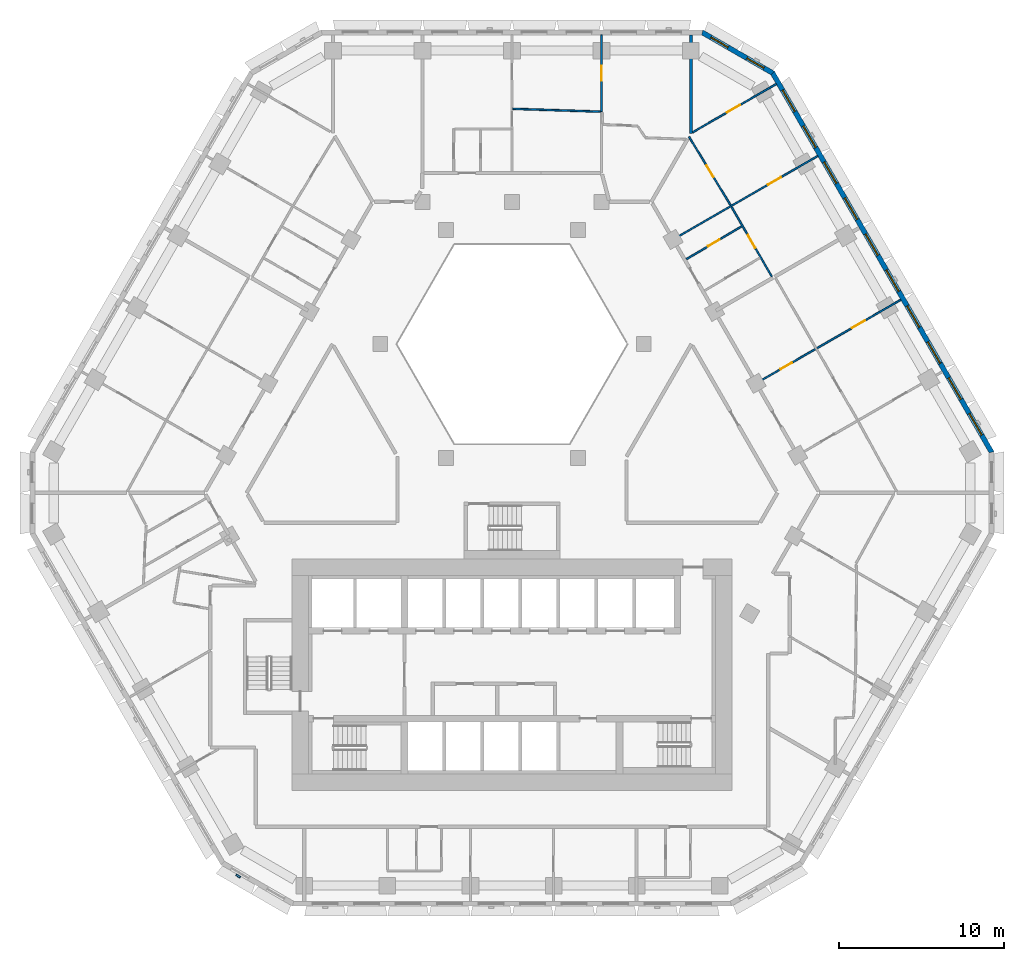
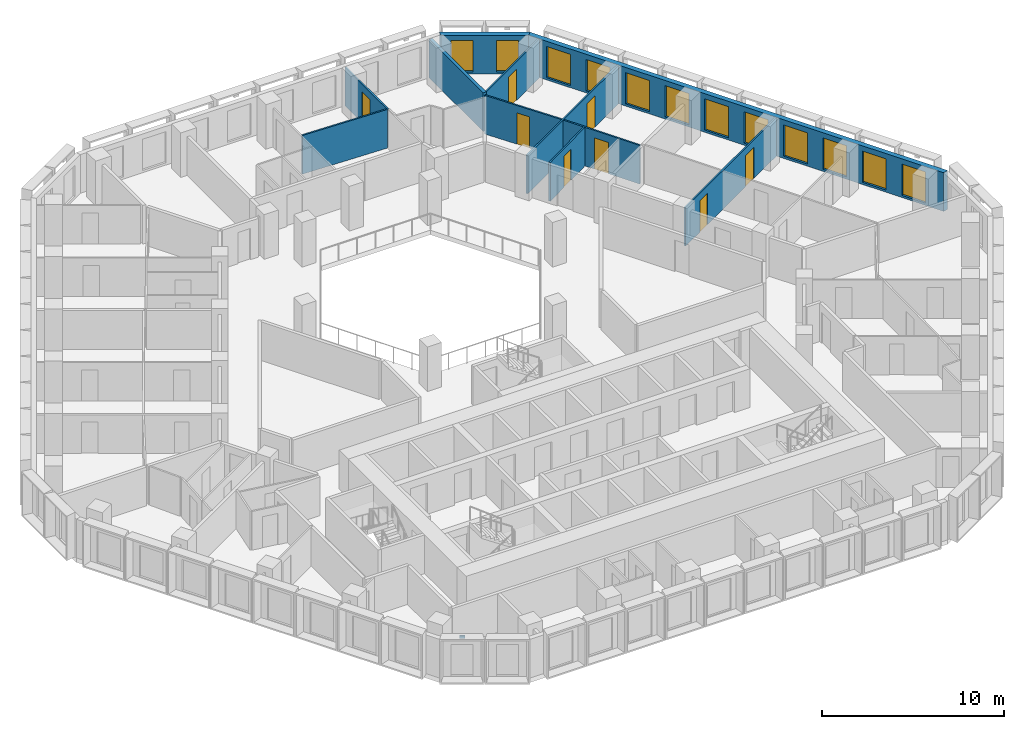
# One storey, part 10 of 18: 12 windows, 11 walls, 8 doors, 1 discrete accessory, 20 openings.
"""IFC4 building model written with IfcOpenShell, lengths in metres."""

from ifc_helpers import new_model, si_unit, direction, frame, frame_2d, origin, place, context, subcontext, project, spatial, polyline, rectangle, outline, extrude, source, transform, mapped, material, layer, layer_set, type_object, type_shapes, element, fill, save


model = new_model("IFC4")

# Units and contexts
model_context = context("Model", 3, precision=1e-05, world=origin(), true_north=direction((0.0, 1.0)))
body_context = subcontext(model_context, "Body", "Model", "MODEL_VIEW")
ifc_project = project(units=[si_unit("LENGTHUNIT", "METRE"), si_unit("AREAUNIT", "SQUARE_METRE"), si_unit("VOLUMEUNIT", "CUBIC_METRE"), si_unit("PLANEANGLEUNIT", "RADIAN"), si_unit("MASSUNIT", "GRAM", prefix="KILO")], contexts=[model_context])

# Site, building, storey
site_placement = place(None, origin())
site = spatial("IfcSite", under=ifc_project, at=site_placement, CompositionType="ELEMENT")
building_placement = place(site_placement, origin())
building = spatial("IfcBuilding", under=site, at=building_placement, Name="Beryl Residences", CompositionType="ELEMENT")
storey_placement = place(building_placement, frame((0.0, 0.0, 105.0)))
storey = spatial("IfcBuildingStorey", under=building, at=storey_placement, Name="L32", CompositionType="ELEMENT", Elevation=105.0)

# Wall, openings, windows
ifc_material_1 = material(Name="Composite metal panel with mineral wool insulation")
ifc_layer_1 = layer(ifc_material_1, 0.300048828125)
ifc_layer_set_1 = layer_set([ifc_layer_1], Name="ES1 pale metal composite panel wall 300 mm")
wall_type_1 = type_object("IfcWallType", Name="ES1 pale metal composite panel wall 300 mm", PredefinedType="SOLIDWALL", material=ifc_layer_set_1)
wall_1_placement = place(storey_placement, frame((29.027099609375, 1.425048828125, 0.0), z_axis=(0.0, 0.0, 1.0), x_axis=(-0.500027479704, 0.866009537788, 0.0)))
wall_1 = element("IfcWall", 1, at=wall_1_placement, inside=storey, type_object=wall_type_1, Name="ES1 external wall L32 NE", PredefinedType="SOLIDWALL", context=body_context, shape_type="SweptSolid", body=[
    extrude(outline(polyline([(0.0, -0.14990234375), (26.55859375, -0.14990234375), (26.478271484375, 0.14990234375), (0.080322265625, 0.14990234375), (0.0, -0.14990234375)])), origin(), (0.0, 0.0, 1.0), 2.60009765625),
])
opening_1_placement = place(wall_1_placement, frame((1.22705078125, 0.0, 0.14990234375)))
opening_1 = element("IfcOpeningElement", 2, at=opening_1_placement, cuts=wall_1, Name="Opening W1", PredefinedType="OPENING", context=body_context, shape_type="SweptSolid", body=[
    extrude(rectangle(XDim=1.5, YDim=2.10009765625, at=frame_2d((0.75, 1.050048828125))), frame((0.0, 0.159912109375, 0.0), z_axis=(0.0, -1.0, 0.0), x_axis=(1.0, 0.0, 0.0)), (0.0, 0.0, 1.0), 0.320068359375),
])
opening_2_placement = place(wall_1_placement, frame((3.738037109375, 0.0, 0.14990234375)))
opening_2 = element("IfcOpeningElement", 3, at=opening_2_placement, cuts=wall_1, Name="Opening W1", PredefinedType="OPENING", context=body_context, shape_type="SweptSolid", body=[
    extrude(rectangle(XDim=1.5, YDim=2.10009765625, at=frame_2d((0.75, 1.050048828125))), frame((0.0, 0.159912109375, 0.0), z_axis=(0.0, -1.0, 0.0), x_axis=(1.0, 0.0, 0.0)), (0.0, 0.0, 1.0), 0.320068359375),
])
opening_3_placement = place(wall_1_placement, frame((6.25, 0.0, 0.14990234375)))
opening_3 = element("IfcOpeningElement", 4, at=opening_3_placement, cuts=wall_1, Name="Opening W1", PredefinedType="OPENING", context=body_context, shape_type="SweptSolid", body=[
    extrude(rectangle(XDim=1.5, YDim=2.10009765625, at=frame_2d((0.75, 1.050048828125))), frame((0.0, 0.159912109375, 0.0), z_axis=(0.0, -1.0, 0.0), x_axis=(1.0, 0.0, 0.0)), (0.0, 0.0, 1.0), 0.320068359375),
])
opening_4_placement = place(wall_1_placement, frame((8.760986328125, 0.0, 0.14990234375)))
opening_4 = element("IfcOpeningElement", 5, at=opening_4_placement, cuts=wall_1, Name="Opening W1", PredefinedType="OPENING", context=body_context, shape_type="SweptSolid", body=[
    extrude(rectangle(XDim=1.5, YDim=2.10009765625, at=frame_2d((0.75, 1.050048828125))), frame((0.0, 0.159912109375, 0.0), z_axis=(0.0, -1.0, 0.0), x_axis=(1.0, 0.0, 0.0)), (0.0, 0.0, 1.0), 0.320068359375),
])
opening_5_placement = place(wall_1_placement, frame((11.27294921875, 0.0, 0.14990234375)))
opening_5 = element("IfcOpeningElement", 6, at=opening_5_placement, cuts=wall_1, Name="Opening W1", PredefinedType="OPENING", context=body_context, shape_type="SweptSolid", body=[
    extrude(rectangle(XDim=1.5, YDim=2.10009765625, at=frame_2d((0.75, 1.050048828125))), frame((0.0, 0.159912109375, 0.0), z_axis=(0.0, -1.0, 0.0), x_axis=(1.0, 0.0, 0.0)), (0.0, 0.0, 1.0), 0.320068359375),
])
opening_6_placement = place(wall_1_placement, frame((13.784912109375, 0.0, 0.14990234375)))
opening_6 = element("IfcOpeningElement", 7, at=opening_6_placement, cuts=wall_1, Name="Opening W1", PredefinedType="OPENING", context=body_context, shape_type="SweptSolid", body=[
    extrude(rectangle(XDim=1.5, YDim=2.10009765625, at=frame_2d((0.75, 1.050048828125))), frame((0.0, 0.159912109375, 0.0), z_axis=(0.0, -1.0, 0.0), x_axis=(1.0, 0.0, 0.0)), (0.0, 0.0, 1.0), 0.320068359375),
])
opening_7_placement = place(wall_1_placement, frame((16.2958984375, 0.0, 0.14990234375)))
opening_7 = element("IfcOpeningElement", 8, at=opening_7_placement, cuts=wall_1, Name="Opening W1", PredefinedType="OPENING", context=body_context, shape_type="SweptSolid", body=[
    extrude(rectangle(XDim=1.5, YDim=2.10009765625, at=frame_2d((0.75, 1.050048828125))), frame((0.0, 0.159912109375, 0.0), z_axis=(0.0, -1.0, 0.0), x_axis=(1.0, 0.0, 0.0)), (0.0, 0.0, 1.0), 0.320068359375),
])
opening_8_placement = place(wall_1_placement, frame((18.806884765625, 0.0, 0.14990234375)))
opening_8 = element("IfcOpeningElement", 9, at=opening_8_placement, cuts=wall_1, Name="Opening W1", PredefinedType="OPENING", context=body_context, shape_type="SweptSolid", body=[
    extrude(rectangle(XDim=1.5, YDim=2.10009765625, at=frame_2d((0.75, 1.050048828125))), frame((0.0, 0.159912109375, 0.0), z_axis=(0.0, -1.0, 0.0), x_axis=(1.0, 0.0, 0.0)), (0.0, 0.0, 1.0), 0.320068359375),
])
opening_9_placement = place(wall_1_placement, frame((21.319091796875, 0.0, 0.14990234375)))
opening_9 = element("IfcOpeningElement", 10, at=opening_9_placement, cuts=wall_1, Name="Opening W1", PredefinedType="OPENING", context=body_context, shape_type="SweptSolid", body=[
    extrude(rectangle(XDim=1.5, YDim=2.10009765625, at=frame_2d((0.75, 1.050048828125))), frame((0.0, 0.159912109375, 0.0), z_axis=(0.0, -1.0, 0.0), x_axis=(1.0, 0.0, 0.0)), (0.0, 0.0, 1.0), 0.320068359375),
])
opening_10_placement = place(wall_1_placement, frame((23.8310546875, 0.0, 0.14990234375)))
opening_10 = element("IfcOpeningElement", 11, at=opening_10_placement, cuts=wall_1, Name="Opening W1", PredefinedType="OPENING", context=body_context, shape_type="SweptSolid", body=[
    extrude(rectangle(XDim=1.5, YDim=2.10009765625, at=frame_2d((0.75, 1.050048828125))), frame((0.0, 0.159912109375, 0.0), z_axis=(0.0, -1.0, 0.0), x_axis=(1.0, 0.0, 0.0)), (0.0, 0.0, 1.0), 0.320068359375),
])
ifc_material_2 = material(Name="Aluminium and clear glass", Category="aluminium")
window_type_1 = type_object("IfcWindowType", Name="W1 cell window 1500 x 2100 mm", PartitioningType="SINGLE_PANEL", PredefinedType="WINDOW", material=ifc_material_2)
window_1_placement = place(opening_1_placement, origin())
window_1 = element("IfcWindow", 12, at=window_1_placement, inside=storey, type_object=window_type_1, Name="W1 window L32 NE 1", OverallHeight=2.10009765625, OverallWidth=1.5, PartitioningType="SINGLE_PANEL", PredefinedType="WINDOW", context=body_context, shape_type="SweptSolid", body=[
    extrude(rectangle(XDim=1.5, YDim=2.10009765625, at=frame_2d((0.75, 1.050048828125))), frame((0.0, 0.030029296875, 0.0), z_axis=(0.0, -1.0, 0.0), x_axis=(1.0, 0.0, 0.0)), (0.0, 0.0, 1.0), 0.06005859375),
])
fill(opening_1, window_1)
window_2_placement = place(opening_2_placement, origin())
window_2 = element("IfcWindow", 13, at=window_2_placement, inside=storey, type_object=window_type_1, Name="W1 window L32 NE 2", OverallHeight=2.10009765625, OverallWidth=1.5, PartitioningType="SINGLE_PANEL", PredefinedType="WINDOW", context=body_context, shape_type="SweptSolid", body=[
    extrude(rectangle(XDim=1.5, YDim=2.10009765625, at=frame_2d((0.75, 1.050048828125))), frame((0.0, 0.030029296875, 0.0), z_axis=(0.0, -1.0, 0.0), x_axis=(1.0, 0.0, 0.0)), (0.0, 0.0, 1.0), 0.06005859375),
])
fill(opening_2, window_2)
window_3_placement = place(opening_3_placement, origin())
window_3 = element("IfcWindow", 14, at=window_3_placement, inside=storey, type_object=window_type_1, Name="W1 window L32 NE 3", OverallHeight=2.10009765625, OverallWidth=1.5, PartitioningType="SINGLE_PANEL", PredefinedType="WINDOW", context=body_context, shape_type="SweptSolid", body=[
    extrude(rectangle(XDim=1.5, YDim=2.10009765625, at=frame_2d((0.75, 1.050048828125))), frame((0.0, 0.030029296875, 0.0), z_axis=(0.0, -1.0, 0.0), x_axis=(1.0, 0.0, 0.0)), (0.0, 0.0, 1.0), 0.06005859375),
])
fill(opening_3, window_3)
window_4_placement = place(opening_4_placement, origin())
window_4 = element("IfcWindow", 15, at=window_4_placement, inside=storey, type_object=window_type_1, Name="W1 window L32 NE 4", OverallHeight=2.10009765625, OverallWidth=1.5, PartitioningType="SINGLE_PANEL", PredefinedType="WINDOW", context=body_context, shape_type="SweptSolid", body=[
    extrude(rectangle(XDim=1.5, YDim=2.10009765625, at=frame_2d((0.75, 1.050048828125))), frame((0.0, 0.030029296875, 0.0), z_axis=(0.0, -1.0, 0.0), x_axis=(1.0, 0.0, 0.0)), (0.0, 0.0, 1.0), 0.06005859375),
])
fill(opening_4, window_4)
window_5_placement = place(opening_5_placement, origin())
window_5 = element("IfcWindow", 16, at=window_5_placement, inside=storey, type_object=window_type_1, Name="W1 window L32 NE 5", OverallHeight=2.10009765625, OverallWidth=1.5, PartitioningType="SINGLE_PANEL", PredefinedType="WINDOW", context=body_context, shape_type="SweptSolid", body=[
    extrude(rectangle(XDim=1.5, YDim=2.10009765625, at=frame_2d((0.75, 1.050048828125))), frame((0.0, 0.030029296875, 0.0), z_axis=(0.0, -1.0, 0.0), x_axis=(1.0, 0.0, 0.0)), (0.0, 0.0, 1.0), 0.06005859375),
])
fill(opening_5, window_5)
window_6_placement = place(opening_6_placement, origin())
window_6 = element("IfcWindow", 17, at=window_6_placement, inside=storey, type_object=window_type_1, Name="W1 window L32 NE 6", OverallHeight=2.10009765625, OverallWidth=1.5, PartitioningType="SINGLE_PANEL", PredefinedType="WINDOW", context=body_context, shape_type="SweptSolid", body=[
    extrude(rectangle(XDim=1.5, YDim=2.10009765625, at=frame_2d((0.75, 1.050048828125))), frame((0.0, 0.030029296875, 0.0), z_axis=(0.0, -1.0, 0.0), x_axis=(1.0, 0.0, 0.0)), (0.0, 0.0, 1.0), 0.06005859375),
])
fill(opening_6, window_6)
window_7_placement = place(opening_7_placement, origin())
window_7 = element("IfcWindow", 18, at=window_7_placement, inside=storey, type_object=window_type_1, Name="W1 window L32 NE 7", OverallHeight=2.10009765625, OverallWidth=1.5, PartitioningType="SINGLE_PANEL", PredefinedType="WINDOW", context=body_context, shape_type="SweptSolid", body=[
    extrude(rectangle(XDim=1.5, YDim=2.10009765625, at=frame_2d((0.75, 1.050048828125))), frame((0.0, 0.030029296875, 0.0), z_axis=(0.0, -1.0, 0.0), x_axis=(1.0, 0.0, 0.0)), (0.0, 0.0, 1.0), 0.06005859375),
])
fill(opening_7, window_7)
window_8_placement = place(opening_8_placement, origin())
window_8 = element("IfcWindow", 19, at=window_8_placement, inside=storey, type_object=window_type_1, Name="W1 window L32 NE 8", OverallHeight=2.10009765625, OverallWidth=1.5, PartitioningType="SINGLE_PANEL", PredefinedType="WINDOW", context=body_context, shape_type="SweptSolid", body=[
    extrude(rectangle(XDim=1.5, YDim=2.10009765625, at=frame_2d((0.75, 1.050048828125))), frame((0.0, 0.030029296875, 0.0), z_axis=(0.0, -1.0, 0.0), x_axis=(1.0, 0.0, 0.0)), (0.0, 0.0, 1.0), 0.06005859375),
])
fill(opening_8, window_8)
window_9_placement = place(opening_9_placement, origin())
window_9 = element("IfcWindow", 20, at=window_9_placement, inside=storey, type_object=window_type_1, Name="W1 window L32 NE 9", OverallHeight=2.10009765625, OverallWidth=1.5, PartitioningType="SINGLE_PANEL", PredefinedType="WINDOW", context=body_context, shape_type="SweptSolid", body=[
    extrude(rectangle(XDim=1.5, YDim=2.10009765625, at=frame_2d((0.75, 1.050048828125))), frame((0.0, 0.030029296875, 0.0), z_axis=(0.0, -1.0, 0.0), x_axis=(1.0, 0.0, 0.0)), (0.0, 0.0, 1.0), 0.06005859375),
])
fill(opening_9, window_9)
window_10_placement = place(opening_10_placement, origin())
window_10 = element("IfcWindow", 21, at=window_10_placement, inside=storey, type_object=window_type_1, Name="W1 window L32 NE 10", OverallHeight=2.10009765625, OverallWidth=1.5, PartitioningType="SINGLE_PANEL", PredefinedType="WINDOW", context=body_context, shape_type="SweptSolid", body=[
    extrude(rectangle(XDim=1.5, YDim=2.10009765625, at=frame_2d((0.75, 1.050048828125))), frame((0.0, 0.030029296875, 0.0), z_axis=(0.0, -1.0, 0.0), x_axis=(1.0, 0.0, 0.0)), (0.0, 0.0, 1.0), 0.06005859375),
])
fill(opening_10, window_10)

wall_2_placement = place(storey_placement, frame((15.802001953125, 24.3701171875, 0.0), z_axis=(0.0, 0.0, 1.0), x_axis=(-0.866022959057, 0.500004234368, 0.0)))
wall_2 = element("IfcWall", 22, at=wall_2_placement, inside=storey, type_object=wall_type_1, Name="ES1 external wall L32 NE-N", PredefinedType="SOLIDWALL", context=body_context, shape_type="SweptSolid", body=[
    extrude(outline(polyline([(0.0, -0.14990234375), (5.0, -0.14990234375), (4.919677734375, 0.14990234375), (0.080322265625, 0.14990234375), (0.0, -0.14990234375)])), origin(), (0.0, 0.0, 1.0), 2.60009765625),
])
opening_11_placement = place(wall_2_placement, frame((0.64990234375, 0.0, 0.14990234375)))
opening_11 = element("IfcOpeningElement", 23, at=opening_11_placement, cuts=wall_2, Name="Opening W2", PredefinedType="OPENING", context=body_context, shape_type="SweptSolid", body=[
    extrude(rectangle(XDim=1.199951171875, YDim=2.10009765625, at=frame_2d((0.60009765625, 1.050048828125))), frame((0.0, 0.159912109375, 0.0), z_axis=(0.0, -1.0, 0.0), x_axis=(1.0, 0.0, 0.0)), (0.0, 0.0, 1.0), 0.320068359375),
])
opening_12_placement = place(wall_2_placement, frame((3.14990234375, 0.0, 0.14990234375)))
opening_12 = element("IfcOpeningElement", 24, at=opening_12_placement, cuts=wall_2, Name="Opening W2", PredefinedType="OPENING", context=body_context, shape_type="SweptSolid", body=[
    extrude(rectangle(XDim=1.199951171875, YDim=2.10009765625, at=frame_2d((0.60009765625, 1.050048828125))), frame((0.0, 0.159912109375, 0.0), z_axis=(0.0, -1.0, 0.0), x_axis=(1.0, 0.0, 0.0)), (0.0, 0.0, 1.0), 0.320068359375),
])
ifc_material_3 = material(Name="Aluminium and clear glass", Category="aluminium")
window_type_2 = type_object("IfcWindowType", Name="W2 chamfer window 1200 x 2100 mm", PartitioningType="SINGLE_PANEL", PredefinedType="WINDOW", material=ifc_material_3)
window_11_placement = place(opening_11_placement, origin())
window_11 = element("IfcWindow", 25, at=window_11_placement, inside=storey, type_object=window_type_2, Name="W2 window L32 NE-N 1", OverallHeight=2.10009765625, OverallWidth=1.199951171875, PartitioningType="SINGLE_PANEL", PredefinedType="WINDOW", context=body_context, shape_type="SweptSolid", body=[
    extrude(rectangle(XDim=1.199951171875, YDim=2.10009765625, at=frame_2d((0.60009765625, 1.050048828125))), frame((0.0, 0.030029296875, 0.0), z_axis=(0.0, -1.0, 0.0), x_axis=(1.0, 0.0, 0.0)), (0.0, 0.0, 1.0), 0.06005859375),
])
fill(opening_11, window_11)
window_12_placement = place(opening_12_placement, origin())
window_12 = element("IfcWindow", 26, at=window_12_placement, inside=storey, type_object=window_type_2, Name="W2 window L32 NE-N 2", OverallHeight=2.10009765625, OverallWidth=1.199951171875, PartitioningType="SINGLE_PANEL", PredefinedType="WINDOW", context=body_context, shape_type="SweptSolid", body=[
    extrude(rectangle(XDim=1.199951171875, YDim=2.10009765625, at=frame_2d((0.60009765625, 1.050048828125))), frame((0.0, 0.030029296875, 0.0), z_axis=(0.0, -1.0, 0.0), x_axis=(1.0, 0.0, 0.0)), (0.0, 0.0, 1.0), 0.06005859375),
])
fill(opening_12, window_12)

# Wall, opening, door
ifc_material_4 = material(Name="Gypsum board partition on steel studs", Category="steel")
ifc_layer_2 = layer(ifc_material_4, 0.10009765625)
ifc_layer_set_2 = layer_set([ifc_layer_2], Name="PT1 partition 100 mm gypsum board on steel studs")
wall_type_2 = type_object("IfcWallType", Name="PT1 partition 100 mm gypsum board on steel studs", PredefinedType="PARTITIONING", material=ifc_layer_set_2)
wall_3_placement = place(storey_placement, frame((10.7060546875, 20.54296875, 0.0), z_axis=(0.0, 0.0, 1.0), x_axis=(0.518240414093, -0.855234981278, 0.0)))
wall_3 = element("IfcWall", 27, at=wall_3_placement, inside=storey, type_object=wall_type_2, Name="Wall PT1 L32 002", PredefinedType="PARTITIONING", context=body_context, shape_type="SweptSolid", body=[
    extrude(rectangle(XDim=4.854736328125, YDim=0.10009765625, at=frame_2d((2.42724609375, 0.0))), origin(), (0.0, 0.0, 1.0), 2.60009765625),
])
opening_13_placement = place(wall_3_placement, frame((2.052001953125, 0.0, 0.0)))
opening_13 = element("IfcOpeningElement", 28, at=opening_13_placement, cuts=wall_3, Name="Opening D0733", PredefinedType="OPENING", context=body_context, shape_type="SweptSolid", body=[
    extrude(rectangle(XDim=0.800048828125, YDim=2.10009765625, at=frame_2d((0.39990234375, 1.050048828125))), frame((0.0, 0.06005859375, 0.0), z_axis=(0.0, -1.0, 0.0), x_axis=(1.0, 0.0, 0.0)), (0.0, 0.0, 1.0), 0.1201171875),
])
ifc_material_5 = material(Name="Timber door leaf", Category="wood")
door_type_1 = type_object("IfcDoorType", Name="D3 bathroom door 800 x 2100 mm", OperationType="SINGLE_SWING_LEFT", PredefinedType="DOOR", material=ifc_material_5)
door_1_placement = place(opening_13_placement, origin())
door_1 = element("IfcDoor", 29, at=door_1_placement, inside=storey, type_object=door_type_1, Name="Door D0733 L32 001", OperationType="SINGLE_SWING_LEFT", OverallHeight=2.10009765625, OverallWidth=0.800048828125, PredefinedType="DOOR", context=body_context, shape_type="SweptSolid", body=[
    extrude(rectangle(XDim=0.800048828125, YDim=2.10009765625, at=frame_2d((0.39990234375, 1.050048828125))), frame((0.0, 0.02490234375, 0.0), z_axis=(0.0, -1.0, 0.0), x_axis=(1.0, 0.0, 0.0)), (0.0, 0.0, 1.0), 0.050048828125),
])
fill(opening_13, door_1)

wall_4_placement = place(storey_placement, frame((13.27294921875, 16.304931640625, 0.0), z_axis=(0.0, 0.0, 1.0), x_axis=(0.500093956194, -0.865971151354, 0.0)))
wall_4 = element("IfcWall", 30, at=wall_4_placement, inside=storey, type_object=wall_type_2, Name="Wall PT1 L32 003", PredefinedType="PARTITIONING", context=body_context, shape_type="SweptSolid", body=[
    extrude(rectangle(XDim=4.873046875, YDim=0.10009765625, at=frame_2d((2.4365234375, 0.0))), origin(), (0.0, 0.0, 1.0), 2.60009765625),
])
opening_14_placement = place(wall_4_placement, frame((1.987060546875, 0.0, 0.0)))
opening_14 = element("IfcOpeningElement", 31, at=opening_14_placement, cuts=wall_4, Name="Opening D0730", PredefinedType="OPENING", context=body_context, shape_type="SweptSolid", body=[
    extrude(rectangle(XDim=0.89990234375, YDim=2.10009765625, at=frame_2d((0.449951171875, 1.050048828125))), frame((0.0, 0.06005859375, 0.0), z_axis=(0.0, -1.0, 0.0), x_axis=(1.0, 0.0, 0.0)), (0.0, 0.0, 1.0), 0.1201171875),
])
ifc_material_6 = material(Name="Timber door leaf", Category="wood")
door_type_2 = type_object("IfcDoorType", Name="D2 room door 900 x 2100 mm", OperationType="SINGLE_SWING_LEFT", PredefinedType="DOOR", material=ifc_material_6)
door_2_placement = place(opening_14_placement, origin())
door_2 = element("IfcDoor", 32, at=door_2_placement, inside=storey, type_object=door_type_2, Name="Door D0730 L32 001", OperationType="SINGLE_SWING_RIGHT", OverallHeight=2.10009765625, OverallWidth=0.89990234375, PredefinedType="DOOR", context=body_context, shape_type="SweptSolid", body=[
    extrude(rectangle(XDim=0.89990234375, YDim=2.10009765625, at=frame_2d((0.449951171875, 1.050048828125))), frame((0.0, 0.02490234375, 0.0), z_axis=(0.0, -1.0, 0.0), x_axis=(1.0, 0.0, 0.0)), (0.0, 0.0, 1.0), 0.050048828125),
])
fill(opening_14, door_2)

# Wall
wall_5_placement = place(storey_placement, frame((0.049072265625, 22.22802734375, 0.0), z_axis=(0.0, 0.0, 1.0), x_axis=(0.99947566488, -0.032378933174, 0.0)))
element("IfcWall", 33, at=wall_5_placement, inside=storey, type_object=wall_type_2, Name="Wall PT1 L32 016", PredefinedType="PARTITIONING", context=body_context, shape_type="SweptSolid", body=[
    extrude(rectangle(XDim=5.315673828125, YDim=0.10009765625, at=frame_2d((2.65771484375, 0.0))), origin(), (0.0, 0.0, 1.0), 2.60009765625),
])

# Wall, opening, door
wall_6_placement = place(storey_placement, frame((5.412109375, 22.054931640625, 0.0), z_axis=(0.0, 0.0, 1.0), x_axis=(0.0, 1.0, 0.0)))
wall_6 = element("IfcWall", 34, at=wall_6_placement, inside=storey, type_object=wall_type_2, Name="Wall PT1 L32 040", PredefinedType="PARTITIONING", context=body_context, shape_type="SweptSolid", body=[
    extrude(rectangle(XDim=4.64501953125, YDim=0.10009765625, at=frame_2d((2.322509765625, 0.0))), origin(), (0.0, 0.0, 1.0), 2.60009765625),
])
opening_15_placement = place(wall_6_placement, frame((1.873046875, 0.0, 0.0)))
opening_15 = element("IfcOpeningElement", 35, at=opening_15_placement, cuts=wall_6, Name="Opening D0739", PredefinedType="OPENING", context=body_context, shape_type="SweptSolid", body=[
    extrude(rectangle(XDim=0.89990234375, YDim=2.10009765625, at=frame_2d((0.449951171875, 1.050048828125))), frame((0.0, 0.06005859375, 0.0), z_axis=(0.0, -1.0, 0.0), x_axis=(1.0, 0.0, 0.0)), (0.0, 0.0, 1.0), 0.1201171875),
])
door_3_placement = place(opening_15_placement, origin())
door_3 = element("IfcDoor", 36, at=door_3_placement, inside=storey, type_object=door_type_2, Name="Door D0739 L32 001", OperationType="SINGLE_SWING_LEFT", OverallHeight=2.10009765625, OverallWidth=0.89990234375, PredefinedType="DOOR", context=body_context, shape_type="SweptSolid", body=[
    extrude(rectangle(XDim=0.89990234375, YDim=2.10009765625, at=frame_2d((0.449951171875, 1.050048828125))), frame((0.0, 0.02490234375, 0.0), z_axis=(0.0, -1.0, 0.0), x_axis=(1.0, 0.0, 0.0)), (0.0, 0.0, 1.0), 0.050048828125),
])
fill(opening_15, door_3)

# Wall, openings, doors
wall_7_placement = place(storey_placement, frame((14.85302734375, 5.675048828125, 0.0), z_axis=(0.0, 0.0, 1.0), x_axis=(0.866016855193, 0.500014806302, 0.0)))
wall_7 = element("IfcWall", 37, at=wall_7_placement, inside=storey, type_object=wall_type_2, Name="Wall PT1 L32 053", PredefinedType="PARTITIONING", context=body_context, shape_type="SweptSolid", body=[
    extrude(rectangle(XDim=9.999755859375, YDim=0.10009765625, at=frame_2d((5.0, 0.0))), origin(), (0.0, 0.0, 1.0), 2.60009765625),
])
opening_16_placement = place(wall_7_placement, frame((1.60009765625, 0.0, 0.0)))
opening_16 = element("IfcOpeningElement", 38, at=opening_16_placement, cuts=wall_7, Name="Opening D0723", PredefinedType="OPENING", context=body_context, shape_type="SweptSolid", body=[
    extrude(rectangle(XDim=0.800048828125, YDim=2.10009765625, at=frame_2d((0.39990234375, 1.050048828125))), frame((0.0, 0.06005859375, 0.0), z_axis=(0.0, -1.0, 0.0), x_axis=(1.0, 0.0, 0.0)), (0.0, 0.0, 1.0), 0.1201171875),
])
opening_17_placement = place(wall_7_placement, frame((6.60009765625, 0.0, 0.0)))
opening_17 = element("IfcOpeningElement", 39, at=opening_17_placement, cuts=wall_7, Name="Opening D0726", PredefinedType="OPENING", context=body_context, shape_type="SweptSolid", body=[
    extrude(rectangle(XDim=0.89990234375, YDim=2.10009765625, at=frame_2d((0.449951171875, 1.050048828125))), frame((0.0, 0.06005859375, 0.0), z_axis=(0.0, -1.0, 0.0), x_axis=(1.0, 0.0, 0.0)), (0.0, 0.0, 1.0), 0.1201171875),
])
door_4_placement = place(opening_17_placement, origin())
door_4 = element("IfcDoor", 40, at=door_4_placement, inside=storey, type_object=door_type_2, Name="Door D0726 L32 001", OperationType="SINGLE_SWING_RIGHT", OverallHeight=2.10009765625, OverallWidth=0.89990234375, PredefinedType="DOOR", context=body_context, shape_type="SweptSolid", body=[
    extrude(rectangle(XDim=0.89990234375, YDim=2.10009765625, at=frame_2d((0.449951171875, 1.050048828125))), frame((0.0, 0.02490234375, 0.0), z_axis=(0.0, -1.0, 0.0), x_axis=(1.0, 0.0, 0.0)), (0.0, 0.0, 1.0), 0.050048828125),
])
fill(opening_17, door_4)
door_5_placement = place(opening_16_placement, origin())
door_5 = element("IfcDoor", 41, at=door_5_placement, inside=storey, type_object=door_type_1, Name="Door D0723 L32 001", OperationType="SINGLE_SWING_LEFT", OverallHeight=2.10009765625, OverallWidth=0.800048828125, PredefinedType="DOOR", context=body_context, shape_type="SweptSolid", body=[
    extrude(rectangle(XDim=0.800048828125, YDim=2.10009765625, at=frame_2d((0.39990234375, 1.050048828125))), frame((0.0, 0.02490234375, 0.0), z_axis=(0.0, -1.0, 0.0), x_axis=(1.0, 0.0, 0.0)), (0.0, 0.0, 1.0), 0.050048828125),
])
fill(opening_16, door_5)

# Wall, opening, door
wall_8_placement = place(storey_placement, frame((9.830078125, 14.375, 0.0), z_axis=(0.0, 0.0, 1.0), x_axis=(0.866016855193, 0.500014806302, 0.0)))
wall_8 = element("IfcWall", 42, at=wall_8_placement, inside=storey, type_object=wall_type_2, Name="Wall PT1 L32 056", PredefinedType="PARTITIONING", context=body_context, shape_type="SweptSolid", body=[
    extrude(rectangle(XDim=9.999755859375, YDim=0.10009765625, at=frame_2d((5.0, 0.0))), origin(), (0.0, 0.0, 1.0), 2.60009765625),
])
opening_18_placement = place(wall_8_placement, frame((6.52294921875, 0.0, 0.0)))
opening_18 = element("IfcOpeningElement", 43, at=opening_18_placement, cuts=wall_8, Name="Opening D0731", PredefinedType="OPENING", context=body_context, shape_type="SweptSolid", body=[
    extrude(rectangle(XDim=0.89990234375, YDim=2.10009765625, at=frame_2d((0.449951171875, 1.050048828125))), frame((0.0, 0.06005859375, 0.0), z_axis=(0.0, -1.0, 0.0), x_axis=(1.0, 0.0, 0.0)), (0.0, 0.0, 1.0), 0.1201171875),
])
door_6_placement = place(opening_18_placement, origin())
door_6 = element("IfcDoor", 44, at=door_6_placement, inside=storey, type_object=door_type_2, Name="Door D0731 L32 001", OperationType="SINGLE_SWING_LEFT", OverallHeight=2.10009765625, OverallWidth=0.89990234375, PredefinedType="DOOR", context=body_context, shape_type="SweptSolid", body=[
    extrude(rectangle(XDim=0.89990234375, YDim=2.10009765625, at=frame_2d((0.449951171875, 1.050048828125))), frame((0.0, 0.02490234375, 0.0), z_axis=(0.0, -1.0, 0.0), x_axis=(1.0, 0.0, 0.0)), (0.0, 0.0, 1.0), 0.050048828125),
])
fill(opening_18, door_6)

wall_9_placement = place(storey_placement, frame((10.926025390625, 20.80810546875, 0.0), z_axis=(0.0, 0.0, 1.0), x_axis=(0.86600925905, 0.500027962457, 0.0)))
wall_9 = element("IfcWall", 45, at=wall_9_placement, inside=storey, type_object=wall_type_2, Name="Wall PT1 L32 058", PredefinedType="PARTITIONING", context=body_context, shape_type="SweptSolid", body=[
    extrude(rectangle(XDim=5.833740234375, YDim=0.10009765625, at=frame_2d((2.9169921875, 0.0))), origin(), (0.0, 0.0, 1.0), 2.60009765625),
])
opening_19_placement = place(wall_9_placement, frame((2.408935546875, 0.0, 0.0)))
opening_19 = element("IfcOpeningElement", 46, at=opening_19_placement, cuts=wall_9, Name="Opening D0732", PredefinedType="OPENING", context=body_context, shape_type="SweptSolid", body=[
    extrude(rectangle(XDim=0.89990234375, YDim=2.10009765625, at=frame_2d((0.449951171875, 1.050048828125))), frame((0.0, 0.06005859375, 0.0), z_axis=(0.0, -1.0, 0.0), x_axis=(1.0, 0.0, 0.0)), (0.0, 0.0, 1.0), 0.1201171875),
])
door_7_placement = place(opening_19_placement, origin())
door_7 = element("IfcDoor", 47, at=door_7_placement, inside=storey, type_object=door_type_2, Name="Door D0732 L32 001", OperationType="SINGLE_SWING_RIGHT", OverallHeight=2.10009765625, OverallWidth=0.89990234375, PredefinedType="DOOR", context=body_context, shape_type="SweptSolid", body=[
    extrude(rectangle(XDim=0.89990234375, YDim=2.10009765625, at=frame_2d((0.449951171875, 1.050048828125))), frame((0.0, 0.02490234375, 0.0), z_axis=(0.0, -1.0, 0.0), x_axis=(1.0, 0.0, 0.0)), (0.0, 0.0, 1.0), 0.050048828125),
])
fill(opening_19, door_7)

wall_10_placement = place(storey_placement, frame((10.547119140625, 13.133056640625, 0.0), z_axis=(0.0, 0.0, 1.0), x_axis=(0.860090994311, 0.510140648749, 0.0)))
wall_10 = element("IfcWall", 48, at=wall_10_placement, inside=storey, type_object=wall_type_2, Name="Wall PT1 L32 060", PredefinedType="PARTITIONING", context=body_context, shape_type="SweptSolid", body=[
    extrude(rectangle(XDim=3.89697265625, YDim=0.10009765625, at=frame_2d((1.948486328125, 0.0))), origin(), (0.0, 0.0, 1.0), 2.60009765625),
])
opening_20_placement = place(wall_10_placement, frame((1.52294921875, 0.0, 0.0)))
opening_20 = element("IfcOpeningElement", 49, at=opening_20_placement, cuts=wall_10, Name="Opening D0728", PredefinedType="OPENING", context=body_context, shape_type="SweptSolid", body=[
    extrude(rectangle(XDim=0.800048828125, YDim=2.10009765625, at=frame_2d((0.39990234375, 1.050048828125))), frame((0.0, 0.06005859375, 0.0), z_axis=(0.0, -1.0, 0.0), x_axis=(1.0, 0.0, 0.0)), (0.0, 0.0, 1.0), 0.1201171875),
])
door_8_placement = place(opening_20_placement, origin())
door_8 = element("IfcDoor", 50, at=door_8_placement, inside=storey, type_object=door_type_1, Name="Door D0728 L32 001", OperationType="SINGLE_SWING_RIGHT", OverallHeight=2.10009765625, OverallWidth=0.800048828125, PredefinedType="DOOR", context=body_context, shape_type="SweptSolid", body=[
    extrude(rectangle(XDim=0.800048828125, YDim=2.10009765625, at=frame_2d((0.39990234375, 1.050048828125))), frame((0.0, 0.02490234375, 0.0), z_axis=(0.0, -1.0, 0.0), x_axis=(1.0, 0.0, 0.0)), (0.0, 0.0, 1.0), 0.050048828125),
])
fill(opening_20, door_8)

# Wall
ifc_material_7 = material(Name="Acoustic double stud gypsum board wall")
ifc_layer_3 = layer(ifc_material_7, 0.199951171875)
ifc_layer_set_3 = layer_set([ifc_layer_3], Name="PT3 party wall 200 mm acoustic double stud")
wall_type_3 = type_object("IfcWallType", Name="PT3 party wall 200 mm acoustic double stud", PredefinedType="PARTITIONING", material=ifc_layer_set_3)
wall_11_placement = place(storey_placement, frame((10.824951171875, 20.748046875, 0.0), z_axis=(0.0, 0.0, 1.0), x_axis=(0.0, 1.0, 0.0)))
element("IfcWall", 51, at=wall_11_placement, inside=storey, type_object=wall_type_3, Name="Wall PT3 L32 014", PredefinedType="PARTITIONING", context=body_context, shape_type="SweptSolid", body=[
    extrude(rectangle(XDim=5.951904296875, YDim=0.199951171875, at=frame_2d((2.97607421875, 0.0))), origin(), (0.0, 0.0, 1.0), 2.60009765625),
])

# Discrete accessory
ifc_material_8 = material(Name="Steel S355", Category="steel")
discrete_accessory_type = type_object("IfcDiscreteAccessoryType", Name="BR1 frame bracket 300 x 120 x 150 mm", PredefinedType="BRACKET", material=ifc_material_8)
shared_shape = source(origin(), body_context, "Body", "SweptSolid", [
    extrude(outline(polyline([(-0.14990234375, 0.0), (0.14990234375, 0.0), (0.14990234375, 0.1201171875), (-0.14990234375, 0.1201171875), (-0.14990234375, 0.0)])), origin(), (0.0, 0.0, 1.0), 0.14990234375),
])
type_shapes(discrete_accessory_type, [shared_shape])
discrete_accessory_placement = place(storey_placement, frame((-16.527099609375, -24.125, 2.75), z_axis=(0.0, 0.0, 1.0), x_axis=(-0.866025403784, 0.5, 0.0)))
element("IfcDiscreteAccessory", 52, at=discrete_accessory_placement, inside=storey, type_object=discrete_accessory_type, Name="BR1 bracket L32 SW-S 1", PredefinedType="BRACKET", context=body_context, shape_type="MappedRepresentation", body=[
    mapped(shared_shape, transform((0.0, 0.0, 0.0))),
])

save(model, "model.ifc")
